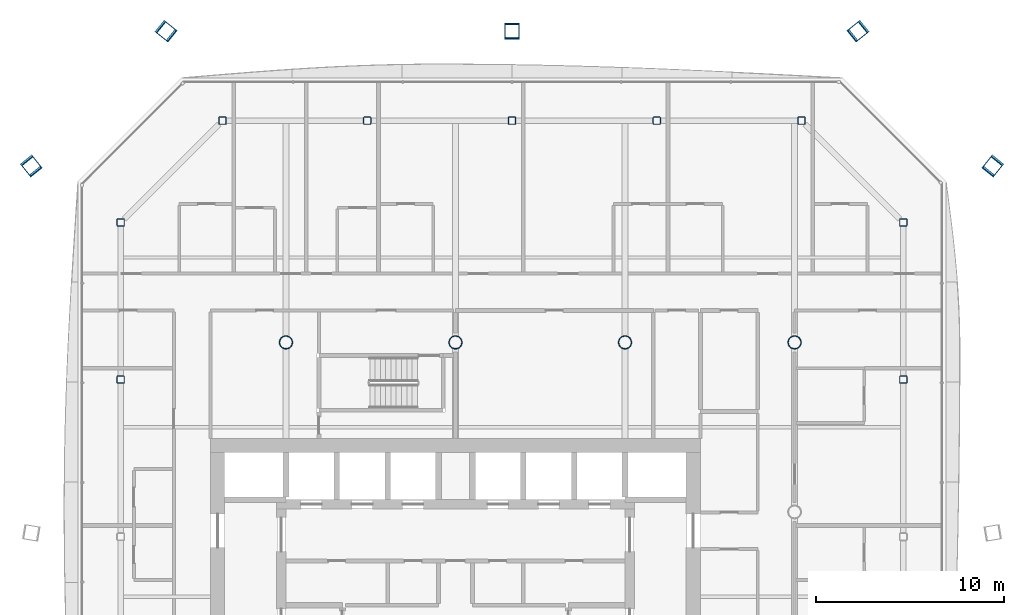
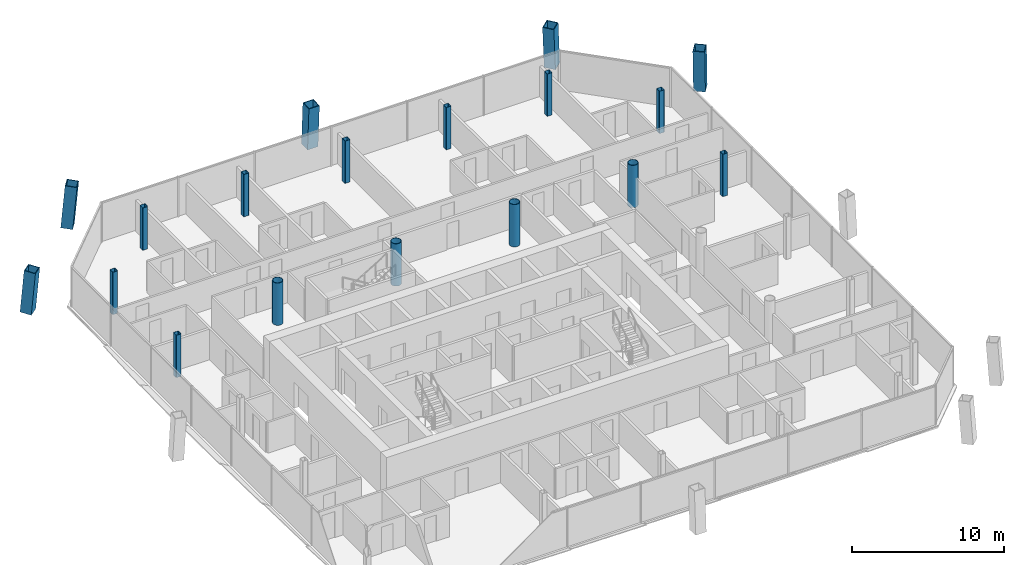
# One storey, part 2 of 21: 18 columns.
"""IFC4 building model written with IfcOpenShell, lengths in metres."""

from ifc_helpers import new_model, si_unit, direction, frame, origin, origin_2d, place, context, subcontext, project, spatial, hollow_rectangle, hollow_circle, extrude, material, material_profile, profile_set, type_object, element, save


model = new_model("IFC4")

# Units and contexts
model_context = context("Model", 3, precision=1e-05, world=origin(), true_north=direction((0.0, 1.0)))
body_context = subcontext(model_context, "Body", "Model", "MODEL_VIEW")
ifc_project = project(units=[si_unit("LENGTHUNIT", "METRE"), si_unit("AREAUNIT", "SQUARE_METRE"), si_unit("VOLUMEUNIT", "CUBIC_METRE"), si_unit("PLANEANGLEUNIT", "RADIAN"), si_unit("MASSUNIT", "GRAM", prefix="KILO")], contexts=[model_context])

# Site, building, storey
site_placement = place(None, origin())
site = spatial("IfcSite", under=ifc_project, at=site_placement, CompositionType="ELEMENT")
building_placement = place(site_placement, origin())
building = spatial("IfcBuilding", under=site, at=building_placement, Name="Tskaro Facet Tower", CompositionType="ELEMENT")
storey_placement = place(building_placement, frame((0.0, 0.0, 138.5)))
storey = spatial("IfcBuildingStorey", under=building, at=storey_placement, Name="L33", CompositionType="ELEMENT", Elevation=138.5)

# Columns
ifc_material_1 = material(Name="Steel S460M", Category="steel")
ifc_material_profile_1 = material_profile(ifc_material_1, hollow_rectangle(XDim=0.800048828125, YDim=0.800048828125, WallThickness=0.050048828125, at=origin_2d()), Name="BOX 800x800x50")
ifc_profile_set_1 = profile_set([ifc_material_profile_1], Name="Steel S460M")
column_type_1 = type_object("IfcColumnType", Name="BOX 800x800x50 mega column", PredefinedType="COLUMN", material=ifc_profile_set_1)
for number, where, z_axis, x_axis, name in (
    (1, (28.553955078125, 18.405029296875, 0.0), (-0.053303292627, -0.066253488554, 0.996378057892), (0.779141980058, -0.626847489356, 0.0), "BOX 800x800x50 MC06/3"),
    (2, (21.405029296875, 25.553955078125, 0.0), (-0.066253488554, -0.053303292627, 0.996378057892), (0.626847489356, -0.779141980058, 0.0), "BOX 800x800x50 MC07/3"),
):
    element("IfcColumn", number, at=place(storey_placement, frame(where, z_axis=z_axis, x_axis=x_axis)), inside=storey, type_object=column_type_1, Name=name, PredefinedType="COLUMN", context=body_context, shape_type="SweptSolid", body=[
        extrude(hollow_rectangle(XDim=0.800048828125, YDim=0.800048828125, WallThickness=0.050048828125, at=origin_2d()), origin(), (0.0, 0.0, 1.0), 3.412353515625),
    ])
column_placement = place(storey_placement, frame((3.0, 25.553955078125, 0.0), z_axis=(0.0, -0.053420667244, 0.998572096702), x_axis=(1.0, 0.0, 0.0)))
element("IfcColumn", 3, at=column_placement, inside=storey, type_object=column_type_1, Name="BOX 800x800x50 MC08/3", PredefinedType="COLUMN", context=body_context, shape_type="SweptSolid", body=[
    extrude(hollow_rectangle(XDim=0.800048828125, YDim=0.800048828125, WallThickness=0.050048828125, at=origin_2d()), origin(), (0.0, 0.0, 1.0), 3.40478515625),
])
for number, where, z_axis, x_axis, name in (
    (4, (-15.405029296875, 25.553955078125, 0.0), (0.066253488554, -0.053303292627, 0.996378057892), (0.626847489356, 0.779141980058, 0.0), "BOX 800x800x50 MC09/3"),
    (5, (-22.553955078125, 18.405029296875, 0.0), (0.053303292627, -0.066253488554, 0.996378057892), (0.779141980058, 0.626847489356, 0.0), "BOX 800x800x50 MC10/3"),
):
    element("IfcColumn", number, at=place(storey_placement, frame(where, z_axis=z_axis, x_axis=x_axis)), inside=storey, type_object=column_type_1, Name=name, PredefinedType="COLUMN", context=body_context, shape_type="SweptSolid", body=[
        extrude(hollow_rectangle(XDim=0.800048828125, YDim=0.800048828125, WallThickness=0.050048828125, at=origin_2d()), origin(), (0.0, 0.0, 1.0), 3.412353515625),
    ])
ifc_material_2 = material(Name="Steel S355J2H", Category="steel")
ifc_material_profile_2 = material_profile(ifc_material_2, hollow_circle(Radius=0.35546875, WallThickness=0.031982421875, at=origin_2d()), Name="CHS 711x32")
ifc_profile_set_2 = profile_set([ifc_material_profile_2], Name="Steel S355J2H")
column_type_2 = type_object("IfcColumnType", Name="CHS 711x32 interior column", PredefinedType="COLUMN", material=ifc_profile_set_2)
for number, where, z_axis, x_axis, name in (
    (6, (-9.0, 9.0, 0.0), (0.0, 0.0, 1.0), (1.0, 0.0, 0.0), "CHS 711x32 C3E/3"),
    (7, (0.0, 9.0, 0.0), (0.0, 0.0, 1.0), (1.0, 0.0, 0.0), "CHS 711x32 C4E/3"),
    (8, (9.0, 9.0, 0.0), (0.0, 0.0, 1.0), (1.0, 0.0, 0.0), "CHS 711x32 C5E/3"),
    (9, (18.0, 9.0, 0.0), (0.0, 0.0, 1.0), (1.0, 0.0, 0.0), "CHS 711x32 C6E/3"),
):
    element("IfcColumn", number, at=place(storey_placement, frame(where, z_axis=z_axis, x_axis=x_axis)), inside=storey, type_object=column_type_2, Name=name, PredefinedType="COLUMN", context=body_context, shape_type="SweptSolid", body=[
        extrude(hollow_circle(Radius=0.35546875, WallThickness=0.031982421875, at=origin_2d()), origin(), (0.0, 0.0, 1.0), 3.39990234375),
    ])
ifc_material_profile_3 = material_profile(ifc_material_2, hollow_rectangle(XDim=0.39990234375, YDim=0.39990234375, WallThickness=0.02001953125, InnerFilletRadius=0.030029296875, OuterFilletRadius=0.050048828125, at=origin_2d()), Name="SHS 400x400x20")
ifc_profile_set_3 = profile_set([ifc_material_profile_3], Name="Steel S355J2H")
column_type_3 = type_object("IfcColumnType", Name="SHS 400x400x20 ring column", PredefinedType="COLUMN", material=ifc_profile_set_3)
for number, where, z_axis, x_axis, name in (
    (10, (23.77392578125, 7.02587890625, 0.0), (0.0, 0.0, 1.0), (1.0, 0.0, 0.0), "SHS 400x400x20 RE-4/3"),
    (11, (23.77392578125, 15.367919921875, 0.0), (0.0, 0.0, 1.0), (1.0, 0.0, 0.0), "SHS 400x400x20 RNE-1/3"),
    (12, (18.367919921875, 20.77392578125, 0.0), (0.0, 0.0, 1.0), (1.0, 0.0, 0.0), "SHS 400x400x20 RN-1/3"),
    (13, (10.68408203125, 20.77392578125, 0.0), (0.0, 0.0, 1.0), (1.0, 0.0, 0.0), "SHS 400x400x20 RN-2/3"),
    (14, (3.0, 20.77392578125, 0.0), (0.0, 0.0, 1.0), (1.0, 0.0, 0.0), "SHS 400x400x20 RN-3/3"),
    (15, (-4.68408203125, 20.77392578125, 0.0), (0.0, 0.0, 1.0), (1.0, 0.0, 0.0), "SHS 400x400x20 RN-4/3"),
    (16, (-12.367919921875, 20.77392578125, 0.0), (0.0, 0.0, 1.0), (1.0, 0.0, 0.0), "SHS 400x400x20 RNW-1/3"),
    (17, (-17.77392578125, 15.367919921875, 0.0), (0.0, 0.0, 1.0), (1.0, 0.0, 0.0), "SHS 400x400x20 RW-1/3"),
    (18, (-17.77392578125, 7.02587890625, 0.0), (0.0, 0.0, 1.0), (1.0, 0.0, 0.0), "SHS 400x400x20 RW-2/3"),
):
    element("IfcColumn", number, at=place(storey_placement, frame(where, z_axis=z_axis, x_axis=x_axis)), inside=storey, type_object=column_type_3, Name=name, PredefinedType="COLUMN", context=body_context, shape_type="SweptSolid", body=[
        extrude(hollow_rectangle(XDim=0.39990234375, YDim=0.39990234375, WallThickness=0.02001953125, InnerFilletRadius=0.030029296875, OuterFilletRadius=0.050048828125, at=origin_2d()), origin(), (0.0, 0.0, 1.0), 3.39990234375),
    ])

save(model, "model.ifc")
